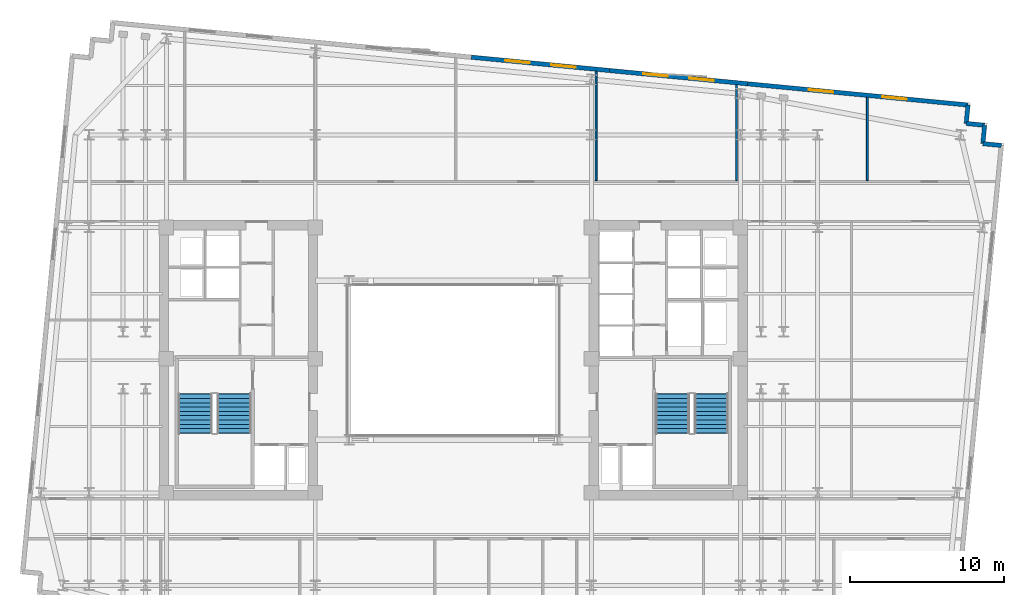
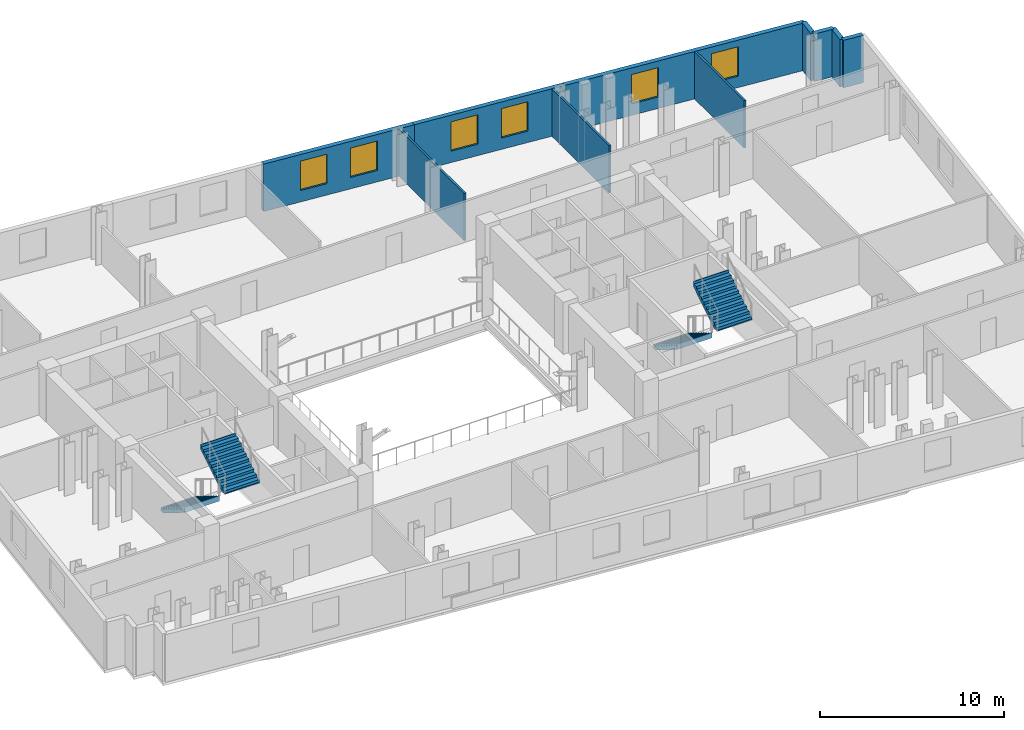
# One storey, part 7 of 9: 10 walls, 6 windows, 4 stair flights, 6 openings, 2 elements without a shape of their own.
"""IFC4 building model written with IfcOpenShell, lengths in metres."""

from ifc_helpers import new_model, si_unit, direction, frame, frame_2d, origin, place, context, subcontext, project, spatial, polyline, rectangle, outline, extrude, material, layer, layer_set, type_object, element, fill, aggregate, save


model = new_model("IFC4")

# Units and contexts
model_context = context("Model", 3, precision=1e-05, world=origin(), true_north=direction((0.0, 1.0)))
body_context = subcontext(model_context, "Body", "Model", "MODEL_VIEW")
ifc_project = project(units=[si_unit("LENGTHUNIT", "METRE"), si_unit("AREAUNIT", "SQUARE_METRE"), si_unit("VOLUMEUNIT", "CUBIC_METRE"), si_unit("PLANEANGLEUNIT", "RADIAN"), si_unit("MASSUNIT", "GRAM", prefix="KILO")], contexts=[model_context])

# Site, building, storey
site_placement = place(None, origin())
site = spatial("IfcSite", under=ifc_project, at=site_placement, CompositionType="ELEMENT")
building_placement = place(site_placement, origin())
building = spatial("IfcBuilding", under=site, at=building_placement, Name="Velakula Bourse", CompositionType="ELEMENT")
storey_placement = place(building_placement, frame((0.0, 0.0, 191.449951171875)))
storey = spatial("IfcBuildingStorey", under=building, at=storey_placement, Name="L52", CompositionType="ELEMENT", Elevation=191.449951171875)

# Wall, openings, windows
ifc_material_1 = material(Name="Red kilned clay facing brick masonry", Category="masonry")
ifc_layer_1 = layer(ifc_material_1, 0.280029296875, Name="Red kilned clay facing brick masonry", Category="masonry")
ifc_layer_set_1 = layer_set([ifc_layer_1], Name="Red kilned clay facing brick masonry")
wall_type_1 = type_object("IfcWallType", Name="WL-EXT-BRK-280", PredefinedType="STANDARD", material=ifc_layer_set_1)
wall_1_placement = place(storey_placement, frame((1.159912109375, 19.633056640625, 0.0), z_axis=(0.0, 0.0, 1.0), x_axis=(0.995394455533, -0.09586385082, 0.0)))
wall_1 = element("IfcWall", 1, at=wall_1_placement, inside=storey, type_object=wall_type_1, Name="L52 N Brick Spandrel Wall B3", PredefinedType="STANDARD", context=body_context, shape_type="SweptSolid", body=[
    extrude(rectangle(XDim=9.000244140625, YDim=0.280029296875, at=frame_2d((4.5, 0.0))), origin(), (0.0, 0.0, 1.0), 3.150146484375),
])
opening_1_placement = place(wall_1_placement, frame((2.199951171875, 0.0, 0.760009765625)))
opening_1 = element("IfcOpeningElement", 2, at=opening_1_placement, cuts=wall_1, Name="Opening W-02", PredefinedType="OPENING", context=body_context, shape_type="SweptSolid", body=[
    extrude(rectangle(XDim=1.60009765625, YDim=1.949951171875, at=frame_2d((0.800048828125, 0.97509765625))), frame((0.0, 0.14990234375, 0.0), z_axis=(0.0, -1.0, 0.0), x_axis=(1.0, 0.0, 0.0)), (0.0, 0.0, 1.0), 0.300048828125),
])
opening_2_placement = place(wall_1_placement, frame((5.199951171875, 0.0, 0.760009765625)))
opening_2 = element("IfcOpeningElement", 3, at=opening_2_placement, cuts=wall_1, Name="Opening W-02", PredefinedType="OPENING", context=body_context, shape_type="SweptSolid", body=[
    extrude(rectangle(XDim=1.60009765625, YDim=1.949951171875, at=frame_2d((0.800048828125, 0.97509765625))), frame((0.0, 0.14990234375, 0.0), z_axis=(0.0, -1.0, 0.0), x_axis=(1.0, 0.0, 0.0)), (0.0, 0.0, 1.0), 0.300048828125),
])
ifc_material_2 = material(Name="Double-glazed solar-control Low-E glass", Category="glass")
window_type = type_object("IfcWindowType", Name="WIN-TWR-1600x2100", PartitioningType="SINGLE_PANEL", PredefinedType="WINDOW", material=ifc_material_2)
window_1_placement = place(opening_1_placement, origin())
window_1 = element("IfcWindow", 4, at=window_1_placement, inside=storey, type_object=window_type, Name="L52 Deep-Set Recessed Window 1", OverallHeight=1.949951171875, OverallWidth=1.60009765625, PartitioningType="SINGLE_PANEL", PredefinedType="WINDOW", context=body_context, shape_type="SweptSolid", body=[
    extrude(rectangle(XDim=1.60009765625, YDim=1.949951171875, at=frame_2d((0.800048828125, 0.97509765625))), frame((0.0, 0.030029296875, 0.0), z_axis=(0.0, -1.0, 0.0), x_axis=(1.0, 0.0, 0.0)), (0.0, 0.0, 1.0), 0.06005859375),
])
fill(opening_1, window_1)
window_2_placement = place(opening_2_placement, origin())
window_2 = element("IfcWindow", 5, at=window_2_placement, inside=storey, type_object=window_type, Name="L52 Deep-Set Recessed Window 2", OverallHeight=1.949951171875, OverallWidth=1.60009765625, PartitioningType="SINGLE_PANEL", PredefinedType="WINDOW", context=body_context, shape_type="SweptSolid", body=[
    extrude(rectangle(XDim=1.60009765625, YDim=1.949951171875, at=frame_2d((0.800048828125, 0.97509765625))), frame((0.0, 0.030029296875, 0.0), z_axis=(0.0, -1.0, 0.0), x_axis=(1.0, 0.0, 0.0)), (0.0, 0.0, 1.0), 0.06005859375),
])
fill(opening_2, window_2)

wall_2_placement = place(storey_placement, frame((10.11865234375, 18.770263671875, 0.0), z_axis=(0.0, 0.0, 1.0), x_axis=(0.995396794462, -0.09583956164, 0.0)))
wall_2 = element("IfcWall", 6, at=wall_2_placement, inside=storey, type_object=wall_type_1, Name="L52 N Brick Spandrel Wall B4", PredefinedType="STANDARD", context=body_context, shape_type="SweptSolid", body=[
    extrude(rectangle(XDim=9.0, YDim=0.280029296875, at=frame_2d((4.5, 0.0))), origin(), (0.0, 0.0, 1.0), 3.150146484375),
])
opening_3_placement = place(wall_2_placement, frame((2.199951171875, 0.0, 0.760009765625)))
opening_3 = element("IfcOpeningElement", 7, at=opening_3_placement, cuts=wall_2, Name="Opening W-02", PredefinedType="OPENING", context=body_context, shape_type="SweptSolid", body=[
    extrude(rectangle(XDim=1.60009765625, YDim=1.949951171875, at=frame_2d((0.800048828125, 0.97509765625))), frame((0.0, 0.14990234375, 0.0), z_axis=(0.0, -1.0, 0.0), x_axis=(1.0, 0.0, 0.0)), (0.0, 0.0, 1.0), 0.300048828125),
])
opening_4_placement = place(wall_2_placement, frame((5.199951171875, 0.0, 0.760009765625)))
opening_4 = element("IfcOpeningElement", 8, at=opening_4_placement, cuts=wall_2, Name="Opening W-02", PredefinedType="OPENING", context=body_context, shape_type="SweptSolid", body=[
    extrude(rectangle(XDim=1.60009765625, YDim=1.949951171875, at=frame_2d((0.800048828125, 0.97509765625))), frame((0.0, 0.14990234375, 0.0), z_axis=(0.0, -1.0, 0.0), x_axis=(1.0, 0.0, 0.0)), (0.0, 0.0, 1.0), 0.300048828125),
])
window_3_placement = place(opening_3_placement, origin())
window_3 = element("IfcWindow", 9, at=window_3_placement, inside=storey, type_object=window_type, Name="L52 Deep-Set Recessed Window 1", OverallHeight=1.949951171875, OverallWidth=1.60009765625, PartitioningType="SINGLE_PANEL", PredefinedType="WINDOW", context=body_context, shape_type="SweptSolid", body=[
    extrude(rectangle(XDim=1.60009765625, YDim=1.949951171875, at=frame_2d((0.800048828125, 0.97509765625))), frame((0.0, 0.030029296875, 0.0), z_axis=(0.0, -1.0, 0.0), x_axis=(1.0, 0.0, 0.0)), (0.0, 0.0, 1.0), 0.06005859375),
])
fill(opening_3, window_3)
window_4_placement = place(opening_4_placement, origin())
window_4 = element("IfcWindow", 10, at=window_4_placement, inside=storey, type_object=window_type, Name="L52 Deep-Set Recessed Window 2", OverallHeight=1.949951171875, OverallWidth=1.60009765625, PartitioningType="SINGLE_PANEL", PredefinedType="WINDOW", context=body_context, shape_type="SweptSolid", body=[
    extrude(rectangle(XDim=1.60009765625, YDim=1.949951171875, at=frame_2d((0.800048828125, 0.97509765625))), frame((0.0, 0.030029296875, 0.0), z_axis=(0.0, -1.0, 0.0), x_axis=(1.0, 0.0, 0.0)), (0.0, 0.0, 1.0), 0.06005859375),
])
fill(opening_4, window_4)

wall_3_placement = place(storey_placement, frame((19.0771484375, 17.90771484375, 0.0), z_axis=(0.0, 0.0, 1.0), x_axis=(0.995395606285, -0.095851901334, 0.0)))
wall_3 = element("IfcWall", 11, at=wall_3_placement, inside=storey, type_object=wall_type_1, Name="L52 N Brick Spandrel Wall B5", PredefinedType="STANDARD", context=body_context, shape_type="SweptSolid", body=[
    extrude(rectangle(XDim=14.33984375, YDim=0.280029296875, at=frame_2d((7.169921875, 0.0))), origin(), (0.0, 0.0, 1.0), 3.150146484375),
])
opening_5_placement = place(wall_3_placement, frame((3.97998046875, 0.0, 0.760009765625)))
opening_5 = element("IfcOpeningElement", 12, at=opening_5_placement, cuts=wall_3, Name="Opening W-02", PredefinedType="OPENING", context=body_context, shape_type="SweptSolid", body=[
    extrude(rectangle(XDim=1.60009765625, YDim=1.949951171875, at=frame_2d((0.800048828125, 0.97509765625))), frame((0.0, 0.14990234375, 0.0), z_axis=(0.0, -1.0, 0.0), x_axis=(1.0, 0.0, 0.0)), (0.0, 0.0, 1.0), 0.300048828125),
])
opening_6_placement = place(wall_3_placement, frame((8.760009765625, 0.0, 0.760009765625)))
opening_6 = element("IfcOpeningElement", 13, at=opening_6_placement, cuts=wall_3, Name="Opening W-02", PredefinedType="OPENING", context=body_context, shape_type="SweptSolid", body=[
    extrude(rectangle(XDim=1.60009765625, YDim=1.949951171875, at=frame_2d((0.800048828125, 0.97509765625))), frame((0.0, 0.14990234375, 0.0), z_axis=(0.0, -1.0, 0.0), x_axis=(1.0, 0.0, 0.0)), (0.0, 0.0, 1.0), 0.300048828125),
])
window_5_placement = place(opening_5_placement, origin())
window_5 = element("IfcWindow", 14, at=window_5_placement, inside=storey, type_object=window_type, Name="L52 Deep-Set Recessed Window 1", OverallHeight=1.949951171875, OverallWidth=1.60009765625, PartitioningType="SINGLE_PANEL", PredefinedType="WINDOW", context=body_context, shape_type="SweptSolid", body=[
    extrude(rectangle(XDim=1.60009765625, YDim=1.949951171875, at=frame_2d((0.800048828125, 0.97509765625))), frame((0.0, 0.030029296875, 0.0), z_axis=(0.0, -1.0, 0.0), x_axis=(1.0, 0.0, 0.0)), (0.0, 0.0, 1.0), 0.06005859375),
])
fill(opening_5, window_5)
window_6_placement = place(opening_6_placement, origin())
window_6 = element("IfcWindow", 15, at=window_6_placement, inside=storey, type_object=window_type, Name="L52 Deep-Set Recessed Window 2", OverallHeight=1.949951171875, OverallWidth=1.60009765625, PartitioningType="SINGLE_PANEL", PredefinedType="WINDOW", context=body_context, shape_type="SweptSolid", body=[
    extrude(rectangle(XDim=1.60009765625, YDim=1.949951171875, at=frame_2d((0.800048828125, 0.97509765625))), frame((0.0, 0.030029296875, 0.0), z_axis=(0.0, -1.0, 0.0), x_axis=(1.0, 0.0, 0.0)), (0.0, 0.0, 1.0), 0.06005859375),
])
fill(opening_6, window_6)

# Walls
wall_4_placement = place(storey_placement, frame((35.510009765625, 13.914306640625, 0.0), z_axis=(0.0, 0.0, 1.0), x_axis=(-0.995397091755, 0.095836473879, 0.0)))
element("IfcWall", 16, at=wall_4_placement, inside=storey, type_object=wall_type_1, Name="L52 Serrated Corner Brick Wall NE-1", PredefinedType="STANDARD", context=body_context, shape_type="SweptSolid", body=[
    extrude(rectangle(XDim=1.199951171875, YDim=0.280029296875, at=frame_2d((0.60009765625, 0.0))), origin(), (0.0, 0.0, 1.0), 3.150146484375),
])
for number, where, z_axis, x_axis, name in (
    (17, (34.315673828125, 14.029296875, 0.0), (0.0, 0.0, 1.0), (0.095817067274, 0.995398960025, 0.0), "L52 Serrated Corner Brick Wall NE-2"),
    (18, (34.4306640625, 15.223876953125, 0.0), (0.0, 0.0, 1.0), (-0.995398960025, 0.095817067274, 0.0), "L52 Serrated Corner Brick Wall NE-3"),
):
    element("IfcWall", number, at=place(storey_placement, frame(where, z_axis=z_axis, x_axis=x_axis)), inside=storey, type_object=wall_type_1, Name=name, PredefinedType="STANDARD", context=body_context, shape_type="SweptSolid", body=[
        extrude(rectangle(XDim=1.2001953125, YDim=0.280029296875, at=frame_2d((0.60009765625, 0.0))), origin(), (0.0, 0.0, 1.0), 3.150146484375),
    ])
wall_5_placement = place(storey_placement, frame((33.236083984375, 15.3388671875, 0.0), z_axis=(0.0, 0.0, 1.0), x_axis=(0.095836473879, 0.995397091755, 0.0)))
element("IfcWall", 19, at=wall_5_placement, inside=storey, type_object=wall_type_1, Name="L52 Serrated Corner Brick Wall NE-4", PredefinedType="STANDARD", context=body_context, shape_type="SweptSolid", body=[
    extrude(rectangle(XDim=1.199951171875, YDim=0.280029296875, at=frame_2d((0.60009765625, 0.0))), origin(), (0.0, 0.0, 1.0), 3.150146484375),
])
ifc_material_3 = material(Name="Fire-rated double-layer gypsum drywall partition", Category="gypsum")
ifc_layer_2 = layer(ifc_material_3, 0.1201171875, Name="Fire-rated double-layer gypsum drywall partition", Category="gypsum")
ifc_layer_set_2 = layer_set([ifc_layer_2], Name="Fire-rated double-layer gypsum drywall partition")
wall_type_2 = type_object("IfcWallType", Name="WL-PART-120", PredefinedType="STANDARD", material=ifc_layer_set_2)
wall_6_placement = place(storey_placement, frame((9.2548828125, 11.639892578125, 0.0), z_axis=(0.0, 0.0, 1.0), x_axis=(0.0, 1.0, 0.0)))
element("IfcWall", 20, at=wall_6_placement, inside=storey, type_object=wall_type_2, Name="L52 Interior Partition WL-INT-L52-N-D4", PredefinedType="STANDARD", context=body_context, shape_type="SweptSolid", body=[
    extrude(rectangle(XDim=7.093017578125, YDim=0.1201171875, at=frame_2d((3.54638671875, 0.0))), origin(), (0.0, 0.0, 1.0), 3.150146484375),
])
wall_7_placement = place(storey_placement, frame((18.344970703125, 11.639892578125, 0.0), z_axis=(0.0, 0.0, 1.0), x_axis=(0.0, 1.0, 0.0)))
element("IfcWall", 21, at=wall_7_placement, inside=storey, type_object=wall_type_2, Name="L52 Interior Partition WL-INT-L52-N-D5", PredefinedType="STANDARD", context=body_context, shape_type="SweptSolid", body=[
    extrude(rectangle(XDim=6.2177734375, YDim=0.1201171875, at=frame_2d((3.10888671875, 0.0))), origin(), (0.0, 0.0, 1.0), 3.150146484375),
])
wall_8_placement = place(storey_placement, frame((26.8291015625, 11.639892578125, 0.0), z_axis=(0.0, 0.0, 1.0), x_axis=(0.0, 1.0, 0.0)))
element("IfcWall", 22, at=wall_8_placement, inside=storey, type_object=wall_type_2, Name="L52 Interior Partition WL-INT-L52-N-D6", PredefinedType="STANDARD", context=body_context, shape_type="SweptSolid", body=[
    extrude(rectangle(XDim=5.40087890625, YDim=0.1201171875, at=frame_2d((2.700439453125, 0.0))), origin(), (0.0, 0.0, 1.0), 3.150146484375),
])

# Stair, stair flights
ifc_material_4 = material(Name="Concrete M45 (fck 45 MPa)", Category="concrete")
stair_type = type_object("IfcStairType", Name="STR-DOG-390", PredefinedType="HALF_TURN_STAIR", material=ifc_material_4)
stair_1_placement = place(storey_placement, origin())
stair_1 = element("IfcStair", 23, at=stair_1_placement, inside=storey, type_object=stair_type, Name="L52 West Core Exit Stair ST-W1", PredefinedType="HALF_TURN_STAIR")
ifc_layer_3 = layer(ifc_material_4, 0.195068359375, Name="Concrete M45 (fck 45 MPa)", Category="concrete")
ifc_layer_set_3 = layer_set([ifc_layer_3], Name="Concrete M45 (fck 45 MPa)")
stair_flight_type = type_object("IfcStairFlightType", Name="FLT-DOG-390", PredefinedType="STRAIGHT", material=ifc_layer_set_3)
stair_flight_1_placement = place(storey_placement, frame((-16.720947265625, -2.199951171875, 0.0), z_axis=(0.0, 0.0, 1.0), x_axis=(0.0, -1.0, 0.0)))
stair_flight_1 = element("IfcStairFlight", 24, at=stair_flight_1_placement, type_object=stair_flight_type, Name="ST-W1 flight 1", NumberOfRisers=10, NumberOfTreads=9, PredefinedType="STRAIGHT", RiserHeight=0.1725, TreadLength=0.28, context=body_context, shape_type="SweptSolid", body=[
    extrude(outline(polyline([(-0.044921875, -0.0400390625), (-0.044921875, -0.036865234375), (-0.044921875, -0.033935546875), (-0.044921875, -0.03076171875), (-0.044921875, -0.027587890625), (-0.044921875, -0.024658203125), (-0.044921875, -0.021484375), (-0.044921875, -0.0185546875), (-0.044921875, -0.015380859375), (-0.044921875, -0.01220703125), (-0.044921875, -0.00927734375), (-0.044921875, -0.006103515625), (-0.044921875, -0.003173828125), (-0.044921875, 0.0), (0.0, 0.0), (0.0, 0.172607421875), (0.280029296875, 0.172607421875), (0.280029296875, 0.344970703125), (0.56005859375, 0.344970703125), (0.56005859375, 0.517578125), (0.840087890625, 0.517578125), (0.840087890625, 0.68994140625), (1.1201171875, 0.68994140625), (1.1201171875, 0.862548828125), (1.39990234375, 0.862548828125), (1.39990234375, 1.034912109375), (1.679931640625, 1.034912109375), (1.679931640625, 1.20751953125), (1.9599609375, 1.20751953125), (1.9599609375, 1.3798828125), (2.239990234375, 1.3798828125), (2.239990234375, 1.552490234375), (2.52001953125, 1.552490234375), (2.52001953125, 1.72509765625), (2.56494140625, 1.72509765625), (2.56494140625, 1.7001953125), (2.56494140625, 1.67529296875), (2.56494140625, 1.650390625), (2.56494140625, 1.62548828125), (2.56494140625, 1.6005859375), (2.56494140625, 1.57568359375), (2.56494140625, 1.55078125), (2.56494140625, 1.52587890625), (2.56494140625, 1.5009765625), (2.56494140625, 1.47607421875), (2.56494140625, 1.451171875), (2.56494140625, 1.42626953125), (2.56494140625, 1.4013671875), (2.56494140625, 1.37646484375), (0.285888671875, -0.0400390625), (-0.044921875, -0.0400390625)])), frame((0.0, 1.09912109375, 0.0), z_axis=(0.0, -1.0, 0.0), x_axis=(1.0, 0.0, 0.0)), (0.0, 0.0, 1.0), 2.197998046875),
])
stair_flight_2_placement = place(storey_placement, frame((-14.198974609375, -4.719970703125, 1.72509765625), z_axis=(0.0, 0.0, 1.0), x_axis=(0.0, 1.0, 0.0)))
stair_flight_2 = element("IfcStairFlight", 25, at=stair_flight_2_placement, type_object=stair_flight_type, Name="ST-W1 flight 2", NumberOfRisers=10, NumberOfTreads=9, PredefinedType="STRAIGHT", RiserHeight=0.1725, TreadLength=0.28, context=body_context, shape_type="SweptSolid", body=[
    extrude(outline(polyline([(-0.044921875, -0.0400390625), (-0.044921875, -0.036865234375), (-0.044921875, -0.033935546875), (-0.044921875, -0.03076171875), (-0.044921875, -0.027587890625), (-0.044921875, -0.024658203125), (-0.044921875, -0.021484375), (-0.044921875, -0.0185546875), (-0.044921875, -0.015380859375), (-0.044921875, -0.01220703125), (-0.044921875, -0.00927734375), (-0.044921875, -0.006103515625), (-0.044921875, -0.003173828125), (-0.044921875, 0.0), (0.0, 0.0), (0.0, 0.172607421875), (0.280029296875, 0.172607421875), (0.280029296875, 0.344970703125), (0.56005859375, 0.344970703125), (0.56005859375, 0.517578125), (0.840087890625, 0.517578125), (0.840087890625, 0.68994140625), (1.1201171875, 0.68994140625), (1.1201171875, 0.862548828125), (1.39990234375, 0.862548828125), (1.39990234375, 1.034912109375), (1.679931640625, 1.034912109375), (1.679931640625, 1.20751953125), (1.9599609375, 1.20751953125), (1.9599609375, 1.3798828125), (2.239990234375, 1.3798828125), (2.239990234375, 1.552490234375), (2.52001953125, 1.552490234375), (2.52001953125, 1.72509765625), (2.56494140625, 1.72509765625), (2.56494140625, 1.7001953125), (2.56494140625, 1.67529296875), (2.56494140625, 1.650390625), (2.56494140625, 1.62548828125), (2.56494140625, 1.6005859375), (2.56494140625, 1.57568359375), (2.56494140625, 1.55078125), (2.56494140625, 1.52587890625), (2.56494140625, 1.5009765625), (2.56494140625, 1.47607421875), (2.56494140625, 1.451171875), (2.56494140625, 1.42626953125), (2.56494140625, 1.4013671875), (2.56494140625, 1.37646484375), (0.285888671875, -0.0400390625), (-0.044921875, -0.0400390625)])), frame((0.0, 1.09912109375, 0.0), z_axis=(0.0, -1.0, 0.0), x_axis=(1.0, 0.0, 0.0)), (0.0, 0.0, 1.0), 2.197998046875),
])
aggregate(stair_1, [stair_flight_1, stair_flight_2])

stair_2_placement = place(storey_placement, origin())
stair_2 = element("IfcStair", 26, at=stair_2_placement, inside=storey, type_object=stair_type, Name="L52 East Core Exit Stair ST-E1", PredefinedType="HALF_TURN_STAIR")
stair_flight_3_placement = place(storey_placement, frame((14.198974609375, -2.199951171875, 0.0), z_axis=(0.0, 0.0, 1.0), x_axis=(0.0, -1.0, 0.0)))
stair_flight_3 = element("IfcStairFlight", 27, at=stair_flight_3_placement, type_object=stair_flight_type, Name="ST-E1 flight 1", NumberOfRisers=10, NumberOfTreads=9, PredefinedType="STRAIGHT", RiserHeight=0.1725, TreadLength=0.28, context=body_context, shape_type="SweptSolid", body=[
    extrude(outline(polyline([(-0.044921875, -0.0400390625), (-0.044921875, -0.036865234375), (-0.044921875, -0.033935546875), (-0.044921875, -0.03076171875), (-0.044921875, -0.027587890625), (-0.044921875, -0.024658203125), (-0.044921875, -0.021484375), (-0.044921875, -0.0185546875), (-0.044921875, -0.015380859375), (-0.044921875, -0.01220703125), (-0.044921875, -0.00927734375), (-0.044921875, -0.006103515625), (-0.044921875, -0.003173828125), (-0.044921875, 0.0), (0.0, 0.0), (0.0, 0.172607421875), (0.280029296875, 0.172607421875), (0.280029296875, 0.344970703125), (0.56005859375, 0.344970703125), (0.56005859375, 0.517578125), (0.840087890625, 0.517578125), (0.840087890625, 0.68994140625), (1.1201171875, 0.68994140625), (1.1201171875, 0.862548828125), (1.39990234375, 0.862548828125), (1.39990234375, 1.034912109375), (1.679931640625, 1.034912109375), (1.679931640625, 1.20751953125), (1.9599609375, 1.20751953125), (1.9599609375, 1.3798828125), (2.239990234375, 1.3798828125), (2.239990234375, 1.552490234375), (2.52001953125, 1.552490234375), (2.52001953125, 1.72509765625), (2.56494140625, 1.72509765625), (2.56494140625, 1.7001953125), (2.56494140625, 1.67529296875), (2.56494140625, 1.650390625), (2.56494140625, 1.62548828125), (2.56494140625, 1.6005859375), (2.56494140625, 1.57568359375), (2.56494140625, 1.55078125), (2.56494140625, 1.52587890625), (2.56494140625, 1.5009765625), (2.56494140625, 1.47607421875), (2.56494140625, 1.451171875), (2.56494140625, 1.42626953125), (2.56494140625, 1.4013671875), (2.56494140625, 1.37646484375), (0.285888671875, -0.0400390625), (-0.044921875, -0.0400390625)])), frame((0.0, 1.09912109375, 0.0), z_axis=(0.0, -1.0, 0.0), x_axis=(1.0, 0.0, 0.0)), (0.0, 0.0, 1.0), 2.197998046875),
])
stair_flight_4_placement = place(storey_placement, frame((16.720947265625, -4.719970703125, 1.72509765625), z_axis=(0.0, 0.0, 1.0), x_axis=(0.0, 1.0, 0.0)))
stair_flight_4 = element("IfcStairFlight", 28, at=stair_flight_4_placement, type_object=stair_flight_type, Name="ST-E1 flight 2", NumberOfRisers=10, NumberOfTreads=9, PredefinedType="STRAIGHT", RiserHeight=0.1725, TreadLength=0.28, context=body_context, shape_type="SweptSolid", body=[
    extrude(outline(polyline([(-0.044921875, -0.0400390625), (-0.044921875, -0.036865234375), (-0.044921875, -0.033935546875), (-0.044921875, -0.03076171875), (-0.044921875, -0.027587890625), (-0.044921875, -0.024658203125), (-0.044921875, -0.021484375), (-0.044921875, -0.0185546875), (-0.044921875, -0.015380859375), (-0.044921875, -0.01220703125), (-0.044921875, -0.00927734375), (-0.044921875, -0.006103515625), (-0.044921875, -0.003173828125), (-0.044921875, 0.0), (0.0, 0.0), (0.0, 0.172607421875), (0.280029296875, 0.172607421875), (0.280029296875, 0.344970703125), (0.56005859375, 0.344970703125), (0.56005859375, 0.517578125), (0.840087890625, 0.517578125), (0.840087890625, 0.68994140625), (1.1201171875, 0.68994140625), (1.1201171875, 0.862548828125), (1.39990234375, 0.862548828125), (1.39990234375, 1.034912109375), (1.679931640625, 1.034912109375), (1.679931640625, 1.20751953125), (1.9599609375, 1.20751953125), (1.9599609375, 1.3798828125), (2.239990234375, 1.3798828125), (2.239990234375, 1.552490234375), (2.52001953125, 1.552490234375), (2.52001953125, 1.72509765625), (2.56494140625, 1.72509765625), (2.56494140625, 1.7001953125), (2.56494140625, 1.67529296875), (2.56494140625, 1.650390625), (2.56494140625, 1.62548828125), (2.56494140625, 1.6005859375), (2.56494140625, 1.57568359375), (2.56494140625, 1.55078125), (2.56494140625, 1.52587890625), (2.56494140625, 1.5009765625), (2.56494140625, 1.47607421875), (2.56494140625, 1.451171875), (2.56494140625, 1.42626953125), (2.56494140625, 1.4013671875), (2.56494140625, 1.37646484375), (0.285888671875, -0.0400390625), (-0.044921875, -0.0400390625)])), frame((0.0, 1.09912109375, 0.0), z_axis=(0.0, -1.0, 0.0), x_axis=(1.0, 0.0, 0.0)), (0.0, 0.0, 1.0), 2.197998046875),
])
aggregate(stair_2, [stair_flight_3, stair_flight_4])

save(model, "model.ifc")
